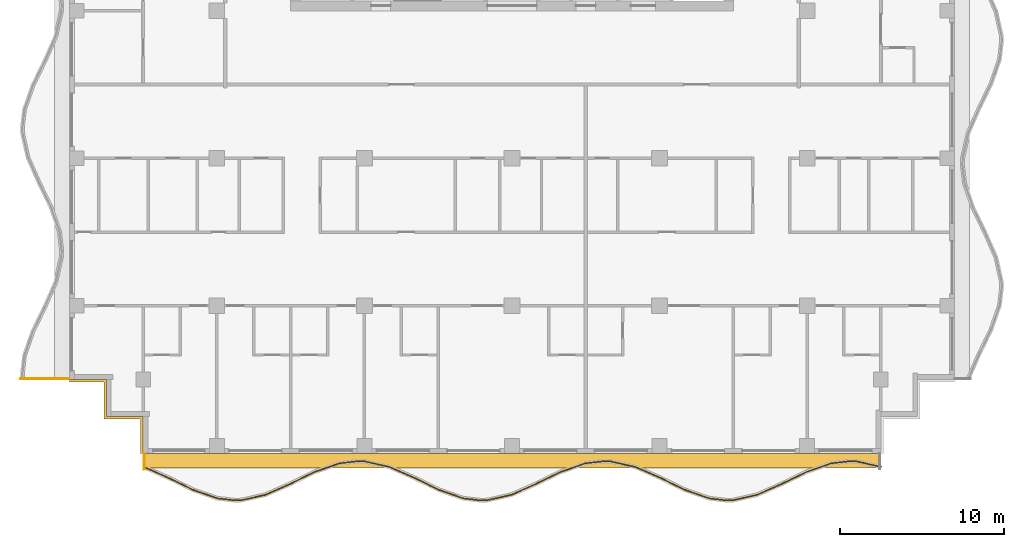
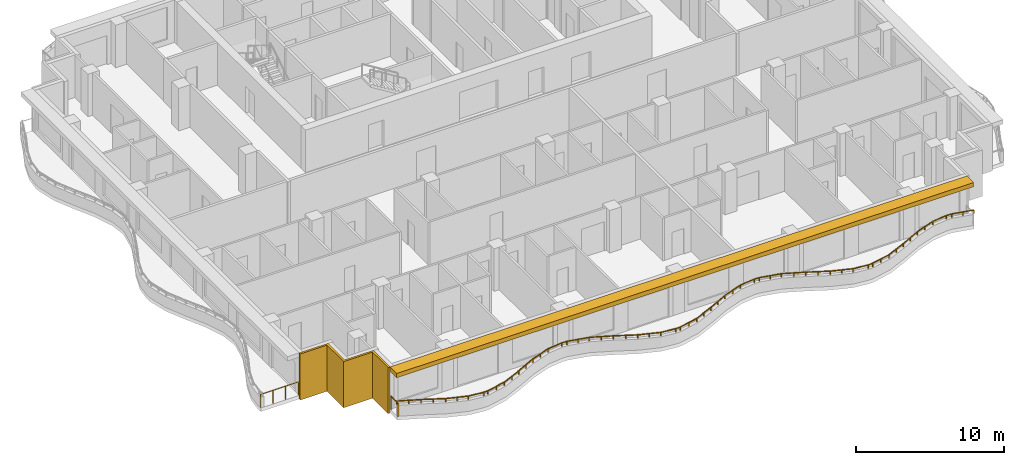
# One storey, part 8 of 11: 3 railings, 2 shading devices.
"""IFC4 building model written with IfcOpenShell, lengths in metres."""

import ifcopenshell
import ifcopenshell.guid

model = None  # the IFC model being written
_history = None  # IfcOwnerHistory: only IFC2X3 demands one
_inside = {}  # id of a spatial element -> (the spatial element, [elements in it])
_under = {}  # id of a project, library or spatial element -> (it, [spatial elements below it])
_declared = {}  # id of a project -> (the project, [libraries it declares])
_typed = {}  # id of a type object -> (the type object, [elements of that type])
_made_of = {}  # id of a material, layer set ... -> (it, [elements and type objects made of it])


def new_model(schema):
    """Start an empty IFC model of exactly this schema.

    Asked for "IFC4X3", IfcOpenShell would pick the latest addendum, in which some entities
    have other attributes; the version numbers below select the first issue.
    IFC2X3 requires an IfcOwnerHistory on every rooted entity: one is made here for all.
    """
    global model, _history
    if schema == "IFC4X3":
        model = ifcopenshell.file(schema_version=(4, 3, 0, 0))
    else:
        model = ifcopenshell.file(schema=schema)
    _inside.clear()
    _under.clear()
    _declared.clear()
    _typed.clear()
    _made_of.clear()
    _history = None
    if model.schema == "IFC2X3":
        org = make("IfcOrganization", Name="unknown")
        user = make(
            "IfcPersonAndOrganization",
            ThePerson=make("IfcPerson", FamilyName="unknown"),
            TheOrganization=org,
        )
        app = make(
            "IfcApplication",
            ApplicationDeveloper=org,
            Version="unknown",
            ApplicationFullName="unknown",
            ApplicationIdentifier="unknown",
        )
        _history = make(
            "IfcOwnerHistory",
            OwningUser=user,
            OwningApplication=app,
            ChangeAction="ADDED",
            CreationDate=0,
        )
    return model


def make(cls, **values):
    """One entity of the class cls with the attributes given. An attribute that is None is left unset."""
    return model.create_entity(
        cls, **{name: value for name, value in values.items() if value is not None}
    )


def rooted(cls, **values):
    """An entity with a GlobalId (a new one), such as an element, a storey or a relation."""
    return make(cls, GlobalId=ifcopenshell.guid.new(), OwnerHistory=_history, **values)


def si_unit(unit_type, name, prefix=None):
    """IfcSIUnit, for example si_unit("LENGTHUNIT", "METRE", prefix="MILLI")."""
    return make("IfcSIUnit", UnitType=unit_type, Prefix=prefix, Name=name)


def assignment(units):
    """IfcUnitAssignment: the units of a project."""
    return None if units is None else make("IfcUnitAssignment", Units=units)


def point(xyz):
    """IfcCartesianPoint."""
    return None if xyz is None else make("IfcCartesianPoint", Coordinates=xyz)


def direction(xyz):
    """IfcDirection."""
    return None if xyz is None else make("IfcDirection", DirectionRatios=xyz)


def frame(location, z_axis=None, x_axis=None):
    """IfcAxis2Placement3D, a coordinate frame: its origin and axes. An axis left out is left unset."""
    return make(
        "IfcAxis2Placement3D",
        Location=point(location),
        Axis=direction(z_axis),
        RefDirection=direction(x_axis),
    )


def frame_2d(location, x_axis=None):
    """IfcAxis2Placement2D, a coordinate frame in the plane: its origin and x axis."""
    return make(
        "IfcAxis2Placement2D", Location=point(location), RefDirection=direction(x_axis)
    )


def origin():
    """The frame at (0, 0, 0) with its axes left unset."""
    return frame((0.0, 0.0, 0.0))


def origin_2d():
    """The frame at (0, 0) in the plane with its x axis left unset."""
    return frame_2d((0.0, 0.0))


def place(relative_to, where):
    """IfcLocalPlacement: puts the frame where relative to a parent placement (None: the world)."""
    return make(
        "IfcLocalPlacement", PlacementRelTo=relative_to, RelativePlacement=where
    )


def context(
    kind, dimensions, precision=None, world=None, true_north=None, identifier=None
):
    """IfcGeometricRepresentationContext, for example the 3D "Model" context."""
    return make(
        "IfcGeometricRepresentationContext",
        ContextIdentifier=identifier,
        ContextType=kind,
        CoordinateSpaceDimension=dimensions,
        Precision=precision,
        WorldCoordinateSystem=world,
        TrueNorth=true_north,
    )


def subcontext(parent, identifier, kind, view, scale=None):
    """IfcGeometricRepresentationSubContext, for example "Body" below "Model"."""
    return make(
        "IfcGeometricRepresentationSubContext",
        ContextIdentifier=identifier,
        ContextType=kind,
        ParentContext=parent,
        TargetScale=scale,
        TargetView=view,
    )


def project(units=None, contexts=None):
    """IfcProject with its units and contexts."""
    return rooted(
        "IfcProject",
        Name="project",
        RepresentationContexts=contexts,
        UnitsInContext=assignment(units),
    )


def spatial(cls, under=None, at=None, **own):
    """A site, building, storey or space (cls), placed at a placement, below another one or the project."""
    s = rooted(cls, ObjectPlacement=at, **own)
    if under is not None:
        _under.setdefault(under.id(), (under, []))[1].append(s)
    return s


def polyline(points):
    """IfcPolyline through the points."""
    return make("IfcPolyline", Points=[point(p) for p in points])


def profile(cls, at=None, kind="AREA", **sizes):
    """A parametric profile (cls). Its sizes go by their IFC names, for example OverallWidth=200.0."""
    return make(cls, ProfileType=kind, Position=at, **sizes)


def rectangle(**sizes):
    """IfcRectangleProfileDef."""
    return profile("IfcRectangleProfileDef", **sizes)


def outline(outer, holes=None, kind="AREA"):
    """IfcArbitraryClosedProfileDef: a profile drawn as a closed curve; with holes, ...WithVoids."""
    if holes is None:
        return make("IfcArbitraryClosedProfileDef", ProfileType=kind, OuterCurve=outer)
    return make(
        "IfcArbitraryProfileDefWithVoids",
        ProfileType=kind,
        OuterCurve=outer,
        InnerCurves=holes,
    )


def extrude(swept, where, along, depth):
    """IfcExtrudedAreaSolid: the profile swept, set in the frame where, extruded along a direction by depth."""
    return make(
        "IfcExtrudedAreaSolid",
        SweptArea=swept,
        Position=where,
        ExtrudedDirection=direction(along),
        Depth=depth,
    )


def shape(context_of_items, identifier, shape_type, items):
    """IfcShapeRepresentation: the items that make up one representation, for example the "Body"."""
    return make(
        "IfcShapeRepresentation",
        ContextOfItems=context_of_items,
        RepresentationIdentifier=identifier,
        RepresentationType=shape_type,
        Items=items,
    )


def material(Name=None, Category=None):
    """IfcMaterial."""
    return make("IfcMaterial", Name=Name, Category=Category)


def layer(
    of_material, thickness, ventilated=None, Name=None, Category=None, Priority=None
):
    """IfcMaterialLayer: one layer of a wall or slab, of a material (None: an air gap)."""
    return make(
        "IfcMaterialLayer",
        Material=of_material,
        LayerThickness=thickness,
        IsVentilated=ventilated,
        Name=Name,
        Category=Category,
        Priority=Priority,
    )


def layer_set(layers, Name=None):
    """IfcMaterialLayerSet."""
    return make("IfcMaterialLayerSet", MaterialLayers=layers, LayerSetName=Name)


def made_of(thing, what):
    """Note that an element or type object is made of a material, layer set ...; save() writes the relation."""
    if what is not None:
        _made_of.setdefault(what.id(), (what, []))[1].append(thing)
    return thing


def type_object(cls, material=None, **own):
    """A type object (cls), such as IfcWallType, which elements share."""
    return made_of(rooted(cls, **own), material)


def element(
    cls,
    number,
    at=None,
    inside=None,
    cuts=None,
    type_object=None,
    material=None,
    context=None,
    identifier="Body",
    shape_type=None,
    held_by="IfcProductDefinitionShape",
    body=None,
    shapes=None,
    **own,
):
    """One element of the class cls, such as IfcWall. Its Tag is "e" and its number.

    at: its placement. inside: the storey or other place that contains it. cuts: it is an
    opening in that element (IfcRelVoidsElement). A single representation is given by context,
    identifier, shape_type and body (its items); several are given by shapes. held_by: the class
    of the entity that holds the representations. save() writes the other relations.
    """
    e = rooted(cls, Tag="e%d" % number, ObjectPlacement=at, **own)
    if body is not None:
        shapes = [shape(context, identifier, shape_type, body)]
    if shapes is not None:
        e.Representation = make(held_by, Representations=shapes)
    if inside is not None:
        _inside.setdefault(inside.id(), (inside, []))[1].append(e)
    if cuts is not None:
        rooted(
            "IfcRelVoidsElement", RelatingBuildingElement=cuts, RelatedOpeningElement=e
        )
    if type_object is not None:
        _typed.setdefault(type_object.id(), (type_object, []))[1].append(e)
    return made_of(e, material)


def aggregate(whole, parts):
    """IfcRelAggregates: a whole, such as a stair, and the parts it consists of."""
    return rooted("IfcRelAggregates", RelatingObject=whole, RelatedObjects=parts)


def save(model, path):
    """Write the relations noted so far, then the file.

    IfcRelAggregates (storeys below a building ...), IfcRelContainedInSpatialStructure (elements
    in a storey), IfcRelDefinesByType, IfcRelAssociatesMaterial and IfcRelDeclares: one each for
    every whole, place, type object, material and project.
    """
    for whole, parts in _under.values():
        aggregate(whole, parts)
    for where, things in _inside.values():
        rooted(
            "IfcRelContainedInSpatialStructure",
            RelatedElements=things,
            RelatingStructure=where,
        )
    for kind, things in _typed.values():
        rooted("IfcRelDefinesByType", RelatedObjects=things, RelatingType=kind)
    for what, things in _made_of.values():
        rooted("IfcRelAssociatesMaterial", RelatedObjects=things, RelatingMaterial=what)
    for by, libraries in _declared.values():
        rooted("IfcRelDeclares", RelatingContext=by, RelatedDefinitions=libraries)
    model.write(path)


model = new_model("IFC4")

# Units and contexts
model_context = context("Model", 3, precision=1e-05, world=origin(), true_north=direction((0.0, 1.0)))
body_context = subcontext(model_context, "Body", "Model", "MODEL_VIEW")
ifc_project = project(units=[si_unit("LENGTHUNIT", "METRE"), si_unit("AREAUNIT", "SQUARE_METRE"), si_unit("VOLUMEUNIT", "CUBIC_METRE"), si_unit("PLANEANGLEUNIT", "RADIAN"), si_unit("MASSUNIT", "GRAM", prefix="KILO")], contexts=[model_context])

# Site, building, storey
site_placement = place(None, origin())
site = spatial("IfcSite", under=ifc_project, at=site_placement, CompositionType="ELEMENT")
building_placement = place(site_placement, origin())
building = spatial("IfcBuilding", under=site, at=building_placement, Name="Orbiselva Terraces", CompositionType="ELEMENT")
storey_placement = place(building_placement, frame((0.0, 0.0, 269.2)))
storey = spatial("IfcBuildingStorey", under=building, at=storey_placement, Name="L68", CompositionType="ELEMENT", Elevation=269.2)

# Railings
ifc_material_1 = material(Name="Bonded two-ply safety glass balustrade, stainless steel posts", Category="steel")
railing_type_1 = type_object("IfcRailingType", Name="ENV-BALUSTRADE-1200", PredefinedType="BALUSTRADE", material=ifc_material_1)
railing_1_placement = place(storey_placement, frame((-22.449606, -23.33708, 0.9)))
element("IfcRailing", 1, at=railing_1_placement, inside=storey, type_object=railing_type_1, Name="Balcony balustrade L68 S", PredefinedType="BALUSTRADE", context=body_context, shape_type="SweptSolid", body=[
    extrude(outline(polyline([(0.028868, 0.0), (0.014434, 0.025), (-0.014434, 0.025), (-0.028868, 0.0), (-0.014434, -0.025), (0.014434, -0.025), (0.028868, 0.0)])), frame((0.0, 0.0, 0.275), z_axis=(0.915133394491, -0.403151175476, 0.0), x_axis=(0.403151175476, 0.915133394491, 0.0)), (0.0, 0.0, 1.0), 1.641563),
    extrude(outline(polyline([(0.028868, 0.0), (0.014434, 0.025), (-0.014434, 0.025), (-0.028868, 0.0), (-0.014434, -0.025), (0.014434, -0.025), (0.028868, 0.0)])), frame((1.502249, -0.661798, 0.275), z_axis=(0.89857890432, -0.438811978768, 0.0), x_axis=(0.438811978768, 0.89857890432, 0.0)), (0.0, 0.0, 1.0), 1.66438),
    extrude(outline(polyline([(0.028868, 0.0), (0.014434, 0.025), (-0.014434, 0.025), (-0.028868, 0.0), (-0.014434, -0.025), (0.014434, -0.025), (0.028868, 0.0)])), frame((2.997826, -1.392148, 0.275), z_axis=(0.943972277814, -0.330024754707, 0.0), x_axis=(0.330024754707, 0.943972277814, 0.0)), (0.0, 0.0, 1.0), 1.567807),
    extrude(outline(polyline([(0.028868, 0.0), (0.014434, 0.025), (-0.014434, 0.025), (-0.028868, 0.0), (-0.014434, -0.025), (0.014434, -0.025), (0.028868, 0.0)])), frame((4.477792, -1.909563, 0.275), z_axis=(0.993309658409, -0.115481264762, 0.0), x_axis=(0.115481264762, 0.993309658409, 0.0)), (0.0, 0.0, 1.0), 1.10902),
    extrude(outline(polyline([(0.028868, 0.0), (0.014434, 0.025), (-0.014434, 0.025), (-0.028868, 0.0), (-0.014434, -0.025), (0.014434, -0.025), (0.028868, 0.0)])), frame((5.579392, -2.037634, 0.275), z_axis=(0.999224931454, 0.039364150694, 0.0), x_axis=(-0.039364150694, 0.999224931454, 0.0)), (0.0, 0.0, 1.0), 0.354206),
    extrude(outline(polyline([(0.028868, 0.0), (0.014434, 0.025), (-0.014434, 0.025), (-0.028868, 0.0), (-0.014434, -0.025), (0.014434, -0.025), (0.028868, 0.0)])), frame((5.933323, -2.023691, 0.275), z_axis=(0.975721325753, 0.219015740235, 0.0), x_axis=(-0.219015740235, 0.975721325753, 0.0)), (0.0, 0.0, 1.0), 1.513782),
    extrude(outline(polyline([(0.028868, 0.0), (0.014434, 0.025), (-0.014434, 0.025), (-0.028868, 0.0), (-0.014434, -0.025), (0.014434, -0.025), (0.028868, 0.0)])), frame((7.410352, -1.692149, 0.275), z_axis=(0.915133363686, 0.403151245402, 0.0), x_axis=(-0.403151245402, 0.915133363686, 0.0)), (0.0, 0.0, 1.0), 1.624475),
    extrude(outline(polyline([(0.028868, 0.0), (0.014434, 0.025), (-0.014434, 0.025), (-0.028868, 0.0), (-0.014434, -0.025), (0.014434, -0.025), (0.028868, 0.0)])), frame((8.896963, -1.03724, 0.275), z_axis=(0.898578870221, 0.438812048596, 0.0), x_axis=(-0.438812048596, 0.898578870221, 0.0)), (0.0, 0.0, 1.0), 1.674225),
    extrude(outline(polyline([(0.028868, 0.0), (0.014434, 0.025), (-0.014434, 0.025), (-0.028868, 0.0), (-0.014434, -0.025), (0.014434, -0.025), (0.028868, 0.0)])), frame((10.401386, -0.30257, 0.275), z_axis=(0.943972332783, 0.330024597479, 0.0), x_axis=(-0.330024597479, 0.943972332783, 0.0)), (0.0, 0.0, 1.0), 1.610253),
    extrude(outline(polyline([(0.028868, 0.0), (0.014434, 0.025), (-0.014434, 0.025), (-0.028868, 0.0), (-0.014434, -0.025), (0.014434, -0.025), (0.028868, 0.0)])), frame((11.92142, 0.228853, 0.275), z_axis=(0.993309551734, 0.115482182324, 0.0), x_axis=(-0.115482182324, 0.993309551734, 0.0)), (0.0, 0.0, 1.0), 1.156135),
    extrude(outline(polyline([(0.028868, 0.0), (0.014434, 0.025), (-0.014434, 0.025), (-0.028868, 0.0), (-0.014434, -0.025), (0.014434, -0.025), (0.028868, 0.0)])), frame((13.06982, 0.362366, 0.275), z_axis=(0.999224734286, -0.03936915532, 0.0), x_axis=(0.03936915532, 0.999224734286, 0.0)), (0.0, 0.0, 1.0), 0.396376),
    extrude(outline(polyline([(0.028868, 0.0), (0.014434, 0.025), (-0.014434, 0.025), (-0.028868, 0.0), (-0.014434, -0.025), (0.014434, -0.025), (0.028868, 0.0)])), frame((13.465889, 0.346761, 0.275), z_axis=(0.97572137947, -0.219015500924, 0.0), x_axis=(0.219015500924, 0.97572137947, 0.0)), (0.0, 0.0, 1.0), 1.560867),
    extrude(outline(polyline([(0.028868, 0.0), (0.014434, 0.025), (-0.014434, 0.025), (-0.028868, 0.0), (-0.014434, -0.025), (0.014434, -0.025), (0.028868, 0.0)])), frame((14.98886, 0.004907, 0.275), z_axis=(0.915133527237, -0.403150874148, 0.0), x_axis=(0.403150874148, 0.915133527237, 0.0)), (0.0, 0.0, 1.0), 1.653736),
    extrude(outline(polyline([(0.028868, 0.0), (0.014434, 0.025), (-0.014434, 0.025), (-0.028868, 0.0), (-0.014434, -0.025), (0.014434, -0.025), (0.028868, 0.0)])), frame((16.502249, -0.661798, 0.275), z_axis=(0.89857890432, -0.438811978768, 0.0), x_axis=(0.438811978768, 0.89857890432, 0.0)), (0.0, 0.0, 1.0), 1.66438),
    extrude(outline(polyline([(0.028868, 0.0), (0.014434, 0.025), (-0.014434, 0.025), (-0.028868, 0.0), (-0.014434, -0.025), (0.014434, -0.025), (0.028868, 0.0)])), frame((17.997826, -1.392148, 0.275), z_axis=(0.943972277814, -0.330024754707, 0.0), x_axis=(0.330024754707, 0.943972277814, 0.0)), (0.0, 0.0, 1.0), 1.567807),
    extrude(outline(polyline([(0.028868, 0.0), (0.014434, 0.025), (-0.014434, 0.025), (-0.028868, 0.0), (-0.014434, -0.025), (0.014434, -0.025), (0.028868, 0.0)])), frame((19.477792, -1.909563, 0.275), z_axis=(0.993309658409, -0.115481264762, 0.0), x_axis=(0.115481264762, 0.993309658409, 0.0)), (0.0, 0.0, 1.0), 1.10902),
    extrude(outline(polyline([(0.028868, 0.0), (0.014434, 0.025), (-0.014434, 0.025), (-0.028868, 0.0), (-0.014434, -0.025), (0.014434, -0.025), (0.028868, 0.0)])), frame((20.579392, -2.037634, 0.275), z_axis=(0.999224931454, 0.039364150694, 0.0), x_axis=(-0.039364150694, 0.999224931454, 0.0)), (0.0, 0.0, 1.0), 0.354206),
    extrude(outline(polyline([(0.028868, 0.0), (0.014434, 0.025), (-0.014434, 0.025), (-0.028868, 0.0), (-0.014434, -0.025), (0.014434, -0.025), (0.028868, 0.0)])), frame((20.933323, -2.023691, 0.275), z_axis=(0.975721325753, 0.219015740235, 0.0), x_axis=(-0.219015740235, 0.975721325753, 0.0)), (0.0, 0.0, 1.0), 1.513782),
    extrude(outline(polyline([(0.028868, 0.0), (0.014434, 0.025), (-0.014434, 0.025), (-0.028868, 0.0), (-0.014434, -0.025), (0.014434, -0.025), (0.028868, 0.0)])), frame((22.410352, -1.692149, 0.275), z_axis=(0.915133363686, 0.403151245402, 0.0), x_axis=(-0.403151245402, 0.915133363686, 0.0)), (0.0, 0.0, 1.0), 1.624475),
    extrude(outline(polyline([(0.028868, 0.0), (0.014434, 0.025), (-0.014434, 0.025), (-0.028868, 0.0), (-0.014434, -0.025), (0.014434, -0.025), (0.028868, 0.0)])), frame((23.896963, -1.03724, 0.275), z_axis=(0.898578870221, 0.438812048596, 0.0), x_axis=(-0.438812048596, 0.898578870221, 0.0)), (0.0, 0.0, 1.0), 1.674225),
    extrude(outline(polyline([(0.028868, 0.0), (0.014434, 0.025), (-0.014434, 0.025), (-0.028868, 0.0), (-0.014434, -0.025), (0.014434, -0.025), (0.028868, 0.0)])), frame((25.401386, -0.30257, 0.275), z_axis=(0.943972332783, 0.330024597479, 0.0), x_axis=(-0.330024597479, 0.943972332783, 0.0)), (0.0, 0.0, 1.0), 1.610253),
    extrude(outline(polyline([(0.028868, 0.0), (0.014434, 0.025), (-0.014434, 0.025), (-0.028868, 0.0), (-0.014434, -0.025), (0.014434, -0.025), (0.028868, 0.0)])), frame((26.92142, 0.228853, 0.275), z_axis=(0.993309551734, 0.115482182324, 0.0), x_axis=(-0.115482182324, 0.993309551734, 0.0)), (0.0, 0.0, 1.0), 1.156135),
    extrude(outline(polyline([(0.028868, 0.0), (0.014434, 0.025), (-0.014434, 0.025), (-0.028868, 0.0), (-0.014434, -0.025), (0.014434, -0.025), (0.028868, 0.0)])), frame((28.06982, 0.362366, 0.275), z_axis=(0.999224734286, -0.03936915532, 0.0), x_axis=(0.03936915532, 0.999224734286, 0.0)), (0.0, 0.0, 1.0), 0.396376),
    extrude(outline(polyline([(0.028868, 0.0), (0.014434, 0.025), (-0.014434, 0.025), (-0.028868, 0.0), (-0.014434, -0.025), (0.014434, -0.025), (0.028868, 0.0)])), frame((28.465889, 0.346761, 0.275), z_axis=(0.97572137947, -0.219015500924, 0.0), x_axis=(0.219015500924, 0.97572137947, 0.0)), (0.0, 0.0, 1.0), 1.560867),
    extrude(outline(polyline([(0.028868, 0.0), (0.014434, 0.025), (-0.014434, 0.025), (-0.028868, 0.0), (-0.014434, -0.025), (0.014434, -0.025), (0.028868, 0.0)])), frame((29.98886, 0.004907, 0.275), z_axis=(0.915133527237, -0.403150874148, 0.0), x_axis=(0.403150874148, 0.915133527237, 0.0)), (0.0, 0.0, 1.0), 1.653736),
    extrude(outline(polyline([(0.028868, 0.0), (0.014434, 0.025), (-0.014434, 0.025), (-0.028868, 0.0), (-0.014434, -0.025), (0.014434, -0.025), (0.028868, 0.0)])), frame((31.502249, -0.661798, 0.275), z_axis=(0.89857890432, -0.438811978768, 0.0), x_axis=(0.438811978768, 0.89857890432, 0.0)), (0.0, 0.0, 1.0), 1.66438),
    extrude(outline(polyline([(0.028868, 0.0), (0.014434, 0.025), (-0.014434, 0.025), (-0.028868, 0.0), (-0.014434, -0.025), (0.014434, -0.025), (0.028868, 0.0)])), frame((32.997826, -1.392148, 0.275), z_axis=(0.943972277814, -0.330024754707, 0.0), x_axis=(0.330024754707, 0.943972277814, 0.0)), (0.0, 0.0, 1.0), 1.567807),
    extrude(outline(polyline([(0.028868, 0.0), (0.014434, 0.025), (-0.014434, 0.025), (-0.028868, 0.0), (-0.014434, -0.025), (0.014434, -0.025), (0.028868, 0.0)])), frame((34.477792, -1.909563, 0.275), z_axis=(0.993309658409, -0.115481264762, 0.0), x_axis=(0.115481264762, 0.993309658409, 0.0)), (0.0, 0.0, 1.0), 1.10902),
    extrude(outline(polyline([(0.028868, 0.0), (0.014434, 0.025), (-0.014434, 0.025), (-0.028868, 0.0), (-0.014434, -0.025), (0.014434, -0.025), (0.028868, 0.0)])), frame((35.579392, -2.037634, 0.275), z_axis=(0.999224931454, 0.039364150694, 0.0), x_axis=(-0.039364150694, 0.999224931454, 0.0)), (0.0, 0.0, 1.0), 0.354206),
    extrude(outline(polyline([(0.028868, 0.0), (0.014434, 0.025), (-0.014434, 0.025), (-0.028868, 0.0), (-0.014434, -0.025), (0.014434, -0.025), (0.028868, 0.0)])), frame((35.933323, -2.023691, 0.275), z_axis=(0.975721325753, 0.219015740235, 0.0), x_axis=(-0.219015740235, 0.975721325753, 0.0)), (0.0, 0.0, 1.0), 1.513782),
    extrude(outline(polyline([(0.028868, 0.0), (0.014434, 0.025), (-0.014434, 0.025), (-0.028868, 0.0), (-0.014434, -0.025), (0.014434, -0.025), (0.028868, 0.0)])), frame((37.410352, -1.692149, 0.275), z_axis=(0.915133363686, 0.403151245402, 0.0), x_axis=(-0.403151245402, 0.915133363686, 0.0)), (0.0, 0.0, 1.0), 1.624475),
    extrude(outline(polyline([(0.028868, 0.0), (0.014434, 0.025), (-0.014434, 0.025), (-0.028868, 0.0), (-0.014434, -0.025), (0.014434, -0.025), (0.028868, 0.0)])), frame((38.896963, -1.03724, 0.275), z_axis=(0.898578870221, 0.438812048596, 0.0), x_axis=(-0.438812048596, 0.898578870221, 0.0)), (0.0, 0.0, 1.0), 1.674225),
    extrude(outline(polyline([(0.028868, 0.0), (0.014434, 0.025), (-0.014434, 0.025), (-0.028868, 0.0), (-0.014434, -0.025), (0.014434, -0.025), (0.028868, 0.0)])), frame((40.401386, -0.30257, 0.275), z_axis=(0.943972332783, 0.330024597479, 0.0), x_axis=(-0.330024597479, 0.943972332783, 0.0)), (0.0, 0.0, 1.0), 1.610253),
    extrude(outline(polyline([(0.028868, 0.0), (0.014434, 0.025), (-0.014434, 0.025), (-0.028868, 0.0), (-0.014434, -0.025), (0.014434, -0.025), (0.028868, 0.0)])), frame((41.92142, 0.228853, 0.275), z_axis=(0.993309551734, 0.115482182324, 0.0), x_axis=(-0.115482182324, 0.993309551734, 0.0)), (0.0, 0.0, 1.0), 1.156135),
    extrude(outline(polyline([(0.028868, 0.0), (0.014434, 0.025), (-0.014434, 0.025), (-0.028868, 0.0), (-0.014434, -0.025), (0.014434, -0.025), (0.028868, 0.0)])), frame((43.06982, 0.362366, 0.275), z_axis=(0.999224734286, -0.03936915532, 0.0), x_axis=(0.03936915532, 0.999224734286, 0.0)), (0.0, 0.0, 1.0), 0.396376),
    extrude(outline(polyline([(0.028868, 0.0), (0.014434, 0.025), (-0.014434, 0.025), (-0.028868, 0.0), (-0.014434, -0.025), (0.014434, -0.025), (0.028868, 0.0)])), frame((43.465889, 0.346761, 0.275), z_axis=(0.97572138316, -0.219015484484, 0.0), x_axis=(0.219015484484, 0.97572138316, 0.0)), (0.0, 0.0, 1.0), 1.548694),
    extrude(rectangle(XDim=0.05, YDim=0.05, at=origin_2d()), origin(), (0.0, 0.0, 1.0), 0.25),
    extrude(rectangle(XDim=0.05, YDim=0.05, at=origin_2d()), frame((0.751124, -0.330899, 0.0)), (0.0, 0.0, 1.0), 0.25),
    extrude(rectangle(XDim=0.05, YDim=0.05, at=origin_2d()), frame((1.502249, -0.661798, 0.0)), (0.0, 0.0, 1.0), 0.25),
    extrude(rectangle(XDim=0.05, YDim=0.05, at=origin_2d()), frame((2.250037, -1.026973, 0.0)), (0.0, 0.0, 1.0), 0.25),
    extrude(rectangle(XDim=0.05, YDim=0.05, at=origin_2d()), frame((2.997826, -1.392148, 0.0)), (0.0, 0.0, 1.0), 0.25),
    extrude(rectangle(XDim=0.05, YDim=0.05, at=origin_2d()), frame((3.737809, -1.650855, 0.0)), (0.0, 0.0, 1.0), 0.25),
    extrude(rectangle(XDim=0.05, YDim=0.05, at=origin_2d()), frame((4.477792, -1.909563, 0.0)), (0.0, 0.0, 1.0), 0.25),
    extrude(rectangle(XDim=0.05, YDim=0.05, at=origin_2d()), frame((5.579392, -2.037634, 0.0)), (0.0, 0.0, 1.0), 0.25),
    extrude(rectangle(XDim=0.05, YDim=0.05, at=origin_2d()), frame((5.933323, -2.023691, 0.0)), (0.0, 0.0, 1.0), 0.25),
    extrude(rectangle(XDim=0.05, YDim=0.05, at=origin_2d()), frame((6.671837, -1.85792, 0.0)), (0.0, 0.0, 1.0), 0.25),
    extrude(rectangle(XDim=0.05, YDim=0.05, at=origin_2d()), frame((7.410352, -1.692149, 0.0)), (0.0, 0.0, 1.0), 0.25),
    extrude(rectangle(XDim=0.05, YDim=0.05, at=origin_2d()), frame((8.153658, -1.364695, 0.0)), (0.0, 0.0, 1.0), 0.25),
    extrude(rectangle(XDim=0.05, YDim=0.05, at=origin_2d()), frame((8.896963, -1.03724, 0.0)), (0.0, 0.0, 1.0), 0.25),
    extrude(rectangle(XDim=0.05, YDim=0.05, at=origin_2d()), frame((9.649174, -0.669905, 0.0)), (0.0, 0.0, 1.0), 0.25),
    extrude(rectangle(XDim=0.05, YDim=0.05, at=origin_2d()), frame((10.401386, -0.30257, 0.0)), (0.0, 0.0, 1.0), 0.25),
    extrude(rectangle(XDim=0.05, YDim=0.05, at=origin_2d()), frame((11.161403, -0.036858, 0.0)), (0.0, 0.0, 1.0), 0.25),
    extrude(rectangle(XDim=0.05, YDim=0.05, at=origin_2d()), frame((11.92142, 0.228853, 0.0)), (0.0, 0.0, 1.0), 0.25),
    extrude(rectangle(XDim=0.05, YDim=0.05, at=origin_2d()), frame((13.06982, 0.362366, 0.0)), (0.0, 0.0, 1.0), 0.25),
    extrude(rectangle(XDim=0.05, YDim=0.05, at=origin_2d()), frame((13.465889, 0.346761, 0.0)), (0.0, 0.0, 1.0), 0.25),
    extrude(rectangle(XDim=0.05, YDim=0.05, at=origin_2d()), frame((14.227374, 0.175834, 0.0)), (0.0, 0.0, 1.0), 0.25),
    extrude(rectangle(XDim=0.05, YDim=0.05, at=origin_2d()), frame((14.98886, 0.004907, 0.0)), (0.0, 0.0, 1.0), 0.25),
    extrude(rectangle(XDim=0.05, YDim=0.05, at=origin_2d()), frame((15.745554, -0.328446, 0.0)), (0.0, 0.0, 1.0), 0.25),
    extrude(rectangle(XDim=0.05, YDim=0.05, at=origin_2d()), frame((16.502249, -0.661798, 0.0)), (0.0, 0.0, 1.0), 0.25),
    extrude(rectangle(XDim=0.05, YDim=0.05, at=origin_2d()), frame((17.250037, -1.026973, 0.0)), (0.0, 0.0, 1.0), 0.25),
    extrude(rectangle(XDim=0.05, YDim=0.05, at=origin_2d()), frame((17.997826, -1.392148, 0.0)), (0.0, 0.0, 1.0), 0.25),
    extrude(rectangle(XDim=0.05, YDim=0.05, at=origin_2d()), frame((18.737809, -1.650855, 0.0)), (0.0, 0.0, 1.0), 0.25),
    extrude(rectangle(XDim=0.05, YDim=0.05, at=origin_2d()), frame((19.477792, -1.909563, 0.0)), (0.0, 0.0, 1.0), 0.25),
    extrude(rectangle(XDim=0.05, YDim=0.05, at=origin_2d()), frame((20.579392, -2.037634, 0.0)), (0.0, 0.0, 1.0), 0.25),
    extrude(rectangle(XDim=0.05, YDim=0.05, at=origin_2d()), frame((20.933323, -2.023691, 0.0)), (0.0, 0.0, 1.0), 0.25),
    extrude(rectangle(XDim=0.05, YDim=0.05, at=origin_2d()), frame((21.671838, -1.85792, 0.0)), (0.0, 0.0, 1.0), 0.25),
    extrude(rectangle(XDim=0.05, YDim=0.05, at=origin_2d()), frame((22.410352, -1.692149, 0.0)), (0.0, 0.0, 1.0), 0.25),
    extrude(rectangle(XDim=0.05, YDim=0.05, at=origin_2d()), frame((23.153658, -1.364695, 0.0)), (0.0, 0.0, 1.0), 0.25),
    extrude(rectangle(XDim=0.05, YDim=0.05, at=origin_2d()), frame((23.896963, -1.03724, 0.0)), (0.0, 0.0, 1.0), 0.25),
    extrude(rectangle(XDim=0.05, YDim=0.05, at=origin_2d()), frame((24.649174, -0.669905, 0.0)), (0.0, 0.0, 1.0), 0.25),
    extrude(rectangle(XDim=0.05, YDim=0.05, at=origin_2d()), frame((25.401386, -0.30257, 0.0)), (0.0, 0.0, 1.0), 0.25),
    extrude(rectangle(XDim=0.05, YDim=0.05, at=origin_2d()), frame((26.161403, -0.036858, 0.0)), (0.0, 0.0, 1.0), 0.25),
    extrude(rectangle(XDim=0.05, YDim=0.05, at=origin_2d()), frame((26.92142, 0.228853, 0.0)), (0.0, 0.0, 1.0), 0.25),
    extrude(rectangle(XDim=0.05, YDim=0.05, at=origin_2d()), frame((28.06982, 0.362366, 0.0)), (0.0, 0.0, 1.0), 0.25),
    extrude(rectangle(XDim=0.05, YDim=0.05, at=origin_2d()), frame((28.465889, 0.346761, 0.0)), (0.0, 0.0, 1.0), 0.25),
    extrude(rectangle(XDim=0.05, YDim=0.05, at=origin_2d()), frame((29.227374, 0.175834, 0.0)), (0.0, 0.0, 1.0), 0.25),
    extrude(rectangle(XDim=0.05, YDim=0.05, at=origin_2d()), frame((29.98886, 0.004907, 0.0)), (0.0, 0.0, 1.0), 0.25),
    extrude(rectangle(XDim=0.05, YDim=0.05, at=origin_2d()), frame((30.745554, -0.328446, 0.0)), (0.0, 0.0, 1.0), 0.25),
    extrude(rectangle(XDim=0.05, YDim=0.05, at=origin_2d()), frame((31.502249, -0.661798, 0.0)), (0.0, 0.0, 1.0), 0.25),
    extrude(rectangle(XDim=0.05, YDim=0.05, at=origin_2d()), frame((32.250038, -1.026973, 0.0)), (0.0, 0.0, 1.0), 0.25),
    extrude(rectangle(XDim=0.05, YDim=0.05, at=origin_2d()), frame((32.997826, -1.392148, 0.0)), (0.0, 0.0, 1.0), 0.25),
    extrude(rectangle(XDim=0.05, YDim=0.05, at=origin_2d()), frame((33.737809, -1.650855, 0.0)), (0.0, 0.0, 1.0), 0.25),
    extrude(rectangle(XDim=0.05, YDim=0.05, at=origin_2d()), frame((34.477792, -1.909563, 0.0)), (0.0, 0.0, 1.0), 0.25),
    extrude(rectangle(XDim=0.05, YDim=0.05, at=origin_2d()), frame((35.579392, -2.037634, 0.0)), (0.0, 0.0, 1.0), 0.25),
    extrude(rectangle(XDim=0.05, YDim=0.05, at=origin_2d()), frame((35.933323, -2.023691, 0.0)), (0.0, 0.0, 1.0), 0.25),
    extrude(rectangle(XDim=0.05, YDim=0.05, at=origin_2d()), frame((36.671838, -1.85792, 0.0)), (0.0, 0.0, 1.0), 0.25),
    extrude(rectangle(XDim=0.05, YDim=0.05, at=origin_2d()), frame((37.410352, -1.692149, 0.0)), (0.0, 0.0, 1.0), 0.25),
    extrude(rectangle(XDim=0.05, YDim=0.05, at=origin_2d()), frame((38.153658, -1.364695, 0.0)), (0.0, 0.0, 1.0), 0.25),
    extrude(rectangle(XDim=0.05, YDim=0.05, at=origin_2d()), frame((38.896963, -1.03724, 0.0)), (0.0, 0.0, 1.0), 0.25),
    extrude(rectangle(XDim=0.05, YDim=0.05, at=origin_2d()), frame((39.649174, -0.669905, 0.0)), (0.0, 0.0, 1.0), 0.25),
    extrude(rectangle(XDim=0.05, YDim=0.05, at=origin_2d()), frame((40.401386, -0.30257, 0.0)), (0.0, 0.0, 1.0), 0.25),
    extrude(rectangle(XDim=0.05, YDim=0.05, at=origin_2d()), frame((41.161403, -0.036858, 0.0)), (0.0, 0.0, 1.0), 0.25),
    extrude(rectangle(XDim=0.05, YDim=0.05, at=origin_2d()), frame((41.92142, 0.228853, 0.0)), (0.0, 0.0, 1.0), 0.25),
    extrude(rectangle(XDim=0.05, YDim=0.05, at=origin_2d()), frame((43.06982, 0.362366, 0.0)), (0.0, 0.0, 1.0), 0.25),
    extrude(rectangle(XDim=0.05, YDim=0.05, at=origin_2d()), frame((43.465889, 0.346761, 0.0)), (0.0, 0.0, 1.0), 0.25),
    extrude(rectangle(XDim=0.05, YDim=0.05, at=origin_2d()), frame((44.221436, 0.177167, 0.0)), (0.0, 0.0, 1.0), 0.25),
    extrude(rectangle(XDim=0.05, YDim=0.05, at=origin_2d()), frame((44.976983, 0.007573, 0.0)), (0.0, 0.0, 1.0), 0.25),
])
ifc_material_2 = material(Name="Stainless steel rail and posts", Category="steel")
railing_type_2 = type_object("IfcRailingType", Name="ENV-GUARD-1105", PredefinedType="BALUSTRADE", material=ifc_material_2)
railing_2_placement = place(storey_placement, frame((-22.44, -23.473063, 0.0)))
element("IfcRailing", 2, at=railing_2_placement, inside=storey, type_object=railing_type_2, Name="Balcony end guard L68 S", PredefinedType="BALUSTRADE", context=body_context, shape_type="SweptSolid", body=[
    extrude(outline(polyline([(0.028868, 0.0), (0.014434, 0.025), (-0.014434, 0.025), (-0.028868, 0.0), (-0.014434, -0.025), (0.014434, -0.025), (0.028868, 0.0)])), frame((0.0, 0.0, 1.08), z_axis=(0.0, 1.0, 0.0), x_axis=(-1.0, 0.0, 0.0)), (0.0, 0.0, 1.0), 0.948063),
    extrude(rectangle(XDim=0.05, YDim=0.05, at=origin_2d()), origin(), (0.0, 0.0, 1.0), 1.055),
    extrude(rectangle(XDim=0.05, YDim=0.05, at=origin_2d()), frame((0.0, 0.948063, 0.0)), (0.0, 0.0, 1.0), 1.055),
])
railing_3_placement = place(storey_placement, frame((-29.989569, -17.94, 0.0)))
element("IfcRailing", 3, at=railing_3_placement, inside=storey, type_object=railing_type_2, Name="Balcony end guard L68 W", PredefinedType="BALUSTRADE", context=body_context, shape_type="SweptSolid", body=[
    extrude(outline(polyline([(0.028868, 0.0), (0.014434, 0.025), (-0.014434, 0.025), (-0.028868, 0.0), (-0.014434, -0.025), (0.014434, -0.025), (0.028868, 0.0)])), frame((0.0, 0.0, 1.08), z_axis=(1.0, 0.0, 0.0), x_axis=(0.0, 1.0, 0.0)), (0.0, 0.0, 1.0), 2.964569),
    extrude(rectangle(XDim=0.05, YDim=0.05, at=origin_2d()), origin(), (0.0, 0.0, 1.0), 1.055),
    extrude(rectangle(XDim=0.05, YDim=0.05, at=origin_2d()), frame((0.98819, 0.0, 0.0)), (0.0, 0.0, 1.0), 1.055),
    extrude(rectangle(XDim=0.05, YDim=0.05, at=origin_2d()), frame((1.976379, 0.0, 0.0)), (0.0, 0.0, 1.0), 1.055),
    extrude(rectangle(XDim=0.05, YDim=0.05, at=origin_2d()), frame((2.964569, 0.0, 0.0)), (0.0, 0.0, 1.0), 1.055),
])

# Shading devices
ifc_material_3 = material(Name="Terracotta louvre screen", Category="masonry")
ifc_layer_1 = layer(ifc_material_3, 0.15)
ifc_layer_set_1 = layer_set([ifc_layer_1], Name="Terracotta louvre screen")
shading_device_type_1 = type_object("IfcShadingDeviceType", Name="ENV-SCREEN-150", PredefinedType="USERDEFINED", material=ifc_layer_set_1)
shading_device_1_placement = place(storey_placement, frame((0.0, 0.0, -0.3)))
element("IfcShadingDevice", 4, at=shading_device_1_placement, inside=storey, type_object=shading_device_type_1, Name="Louvre screen L68 SW", ObjectType="SCREEN", PredefinedType="USERDEFINED", context=body_context, shape_type="SweptSolid", body=[
    extrude(outline(polyline([(-27.0, -18.15), (-24.9, -18.15), (-24.9, -20.4), (-22.65, -20.4), (-22.65, -22.5), (-22.5, -22.5), (-22.5, -20.25), (-24.75, -20.25), (-24.75, -18.0), (-27.0, -18.0), (-27.0, -18.15)])), origin(), (0.0, 0.0, 1.0), 3.8),
])
ifc_material_4 = material(Name="Terracotta baguette sunshade", Category="masonry")
ifc_layer_2 = layer(ifc_material_4, 0.35)
ifc_layer_set_2 = layer_set([ifc_layer_2], Name="Terracotta baguette sunshade")
shading_device_type_2 = type_object("IfcShadingDeviceType", Name="ENV-SUNSHADE-900x350", PredefinedType="USERDEFINED", material=ifc_layer_set_2)
shading_device_2_placement = place(storey_placement, frame((0.0, 0.0, 3.15)))
element("IfcShadingDevice", 5, at=shading_device_2_placement, inside=storey, type_object=shading_device_type_2, Name="Sunshade band L68 S", ObjectType="SUNSHADE", PredefinedType="USERDEFINED", context=body_context, shape_type="SweptSolid", body=[
    extrude(outline(polyline([(-22.5, -23.4), (22.5, -23.4), (22.5, -22.5), (-22.5, -22.5), (-22.5, -23.4)])), origin(), (0.0, 0.0, 1.0), 0.35),
])

save(model, "model.ifc")
